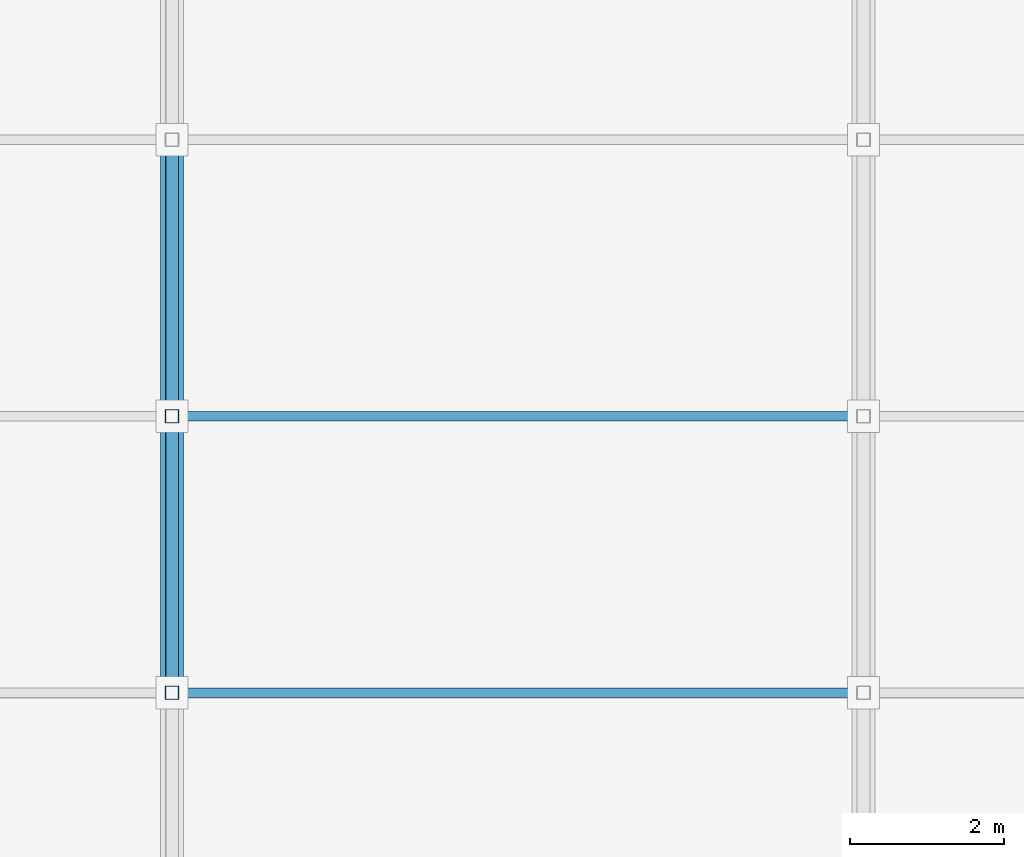
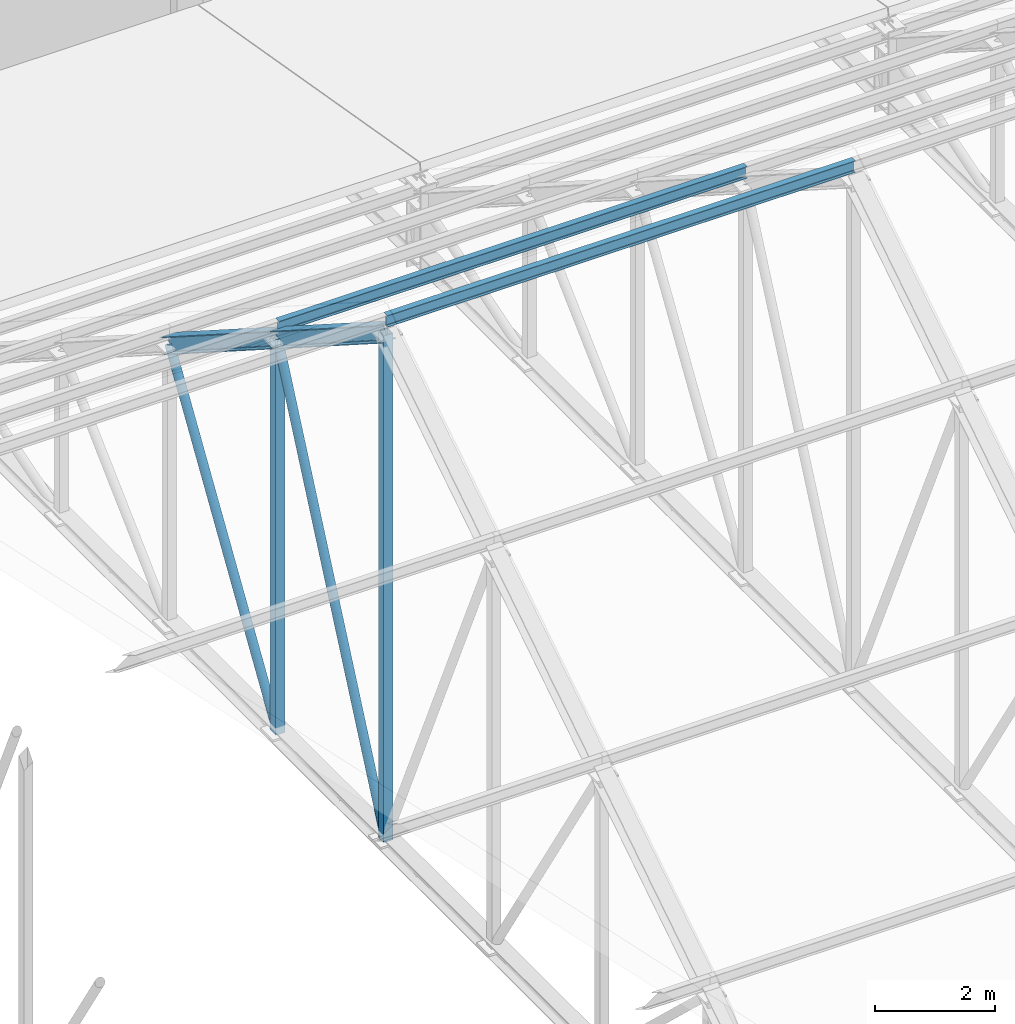
# One storey, part 106 of 182: 8 members.
"""IFC4 building model written with IfcOpenShell, lengths in metres."""

from ifc_helpers import new_model, si_unit, direction, frame, origin, origin_2d, place, context, subcontext, project, spatial, hollow_rectangle, hollow_circle, i_section, extrude, material, material_profile, profile_set, type_object, element, save


model = new_model("IFC4")

# Units and contexts
model_context = context("Model", 3, precision=1e-05, world=origin(), true_north=direction((0.0, 1.0)))
body_context = subcontext(model_context, "Body", "Model", "MODEL_VIEW")
ifc_project = project(units=[si_unit("LENGTHUNIT", "METRE"), si_unit("AREAUNIT", "SQUARE_METRE"), si_unit("VOLUMEUNIT", "CUBIC_METRE"), si_unit("PLANEANGLEUNIT", "RADIAN"), si_unit("MASSUNIT", "GRAM", prefix="KILO")], contexts=[model_context])

# Site, building, storey
site_placement = place(None, origin())
site = spatial("IfcSite", under=ifc_project, at=site_placement, CompositionType="ELEMENT")
building_placement = place(site_placement, origin())
building = spatial("IfcBuilding", under=site, at=building_placement, Name="Chiffa Square Polytechnic", CompositionType="ELEMENT")
storey_placement = place(building_placement, frame((0.0, 0.0, 9.60009765625)))
storey = spatial("IfcBuildingStorey", under=building, at=storey_placement, Name="L02", CompositionType="ELEMENT", Elevation=9.60009765625)

# Members
ifc_material = material(Name="Steel S355", Category="steel")
ifc_material_profile_1 = material_profile(ifc_material, i_section(OverallWidth=0.300048828125, OverallDepth=0.31005859375, WebThickness=0.009033203125, FlangeThickness=0.015380859375, FilletRadius=0.027099609375, at=origin_2d()), Name="HEA 320")
ifc_profile_set_1 = profile_set([ifc_material_profile_1], Name="Steel S355")
member_type_1 = type_object("IfcMemberType", Name="MEM-CHORD-HEA320", PredefinedType="CHORD", material=ifc_profile_set_1)
member_1_placement = place(storey_placement, frame((130.199951171875, 72.60009765625, 10.64990234375), z_axis=(0.0, 0.842681134223, -0.538412951205), x_axis=(-1.0, 0.0, 0.0)))
element("IfcMember", 1, at=member_1_placement, inside=storey, type_object=member_type_1, Name="Workshop roof truss top chord TCT-V2-03-05", PredefinedType="CHORD", context=body_context, shape_type="SweptSolid", body=[
    extrude(i_section(OverallWidth=0.300048828125, OverallDepth=0.31005859375, WebThickness=0.009033203125, FlangeThickness=0.015380859375, FilletRadius=0.027099609375, at=origin_2d()), origin(), (0.0, 0.0, 1.0), 4.27197265625),
])
member_2_placement = place(storey_placement, frame((130.199951171875, 76.199951171875, 8.349853515625), z_axis=(0.0, 0.84269770024, -0.538387022512), x_axis=(-1.0, 0.0, 0.0)))
element("IfcMember", 2, at=member_2_placement, inside=storey, type_object=member_type_1, Name="Workshop roof truss top chord TCT-V2-03-06", PredefinedType="CHORD", context=body_context, shape_type="SweptSolid", body=[
    extrude(i_section(OverallWidth=0.300048828125, OverallDepth=0.31005859375, WebThickness=0.009033203125, FlangeThickness=0.015380859375, FilletRadius=0.027099609375, at=origin_2d()), origin(), (0.0, 0.0, 1.0), 4.272216796875),
])
ifc_material_profile_2 = material_profile(ifc_material, i_section(OverallWidth=0.1201171875, OverallDepth=0.239990234375, WebThickness=0.006103515625, FlangeThickness=0.009765625, FilletRadius=0.014892578125, at=origin_2d()), Name="IPE 240")
ifc_profile_set_2 = profile_set([ifc_material_profile_2], Name="Steel S355")
member_type_2 = type_object("IfcMemberType", Name="MEM-PUR-IPE240", PredefinedType="PURLIN", material=ifc_profile_set_2)
for number, where, z_axis, x_axis, name in (
    (3, (130.199951171875, 72.60009765625, 10.89990234375), (1.0, 0.0, 0.0), (0.0, 1.0, 0.0), "Workshop steel roof purlin PU-V2-03-05"),
    (4, (130.199951171875, 76.199951171875, 8.599853515625), (1.0, 0.0, 0.0), (0.0, 1.0, 0.0), "Workshop steel roof purlin PU-V2-03-06"),
):
    element("IfcMember", number, at=place(storey_placement, frame(where, z_axis=z_axis, x_axis=x_axis)), inside=storey, type_object=member_type_2, Name=name, PredefinedType="PURLIN", context=body_context, shape_type="SweptSolid", body=[
        extrude(i_section(OverallWidth=0.1201171875, OverallDepth=0.239990234375, WebThickness=0.006103515625, FlangeThickness=0.009765625, FilletRadius=0.014892578125, at=origin_2d()), origin(), (0.0, 0.0, 1.0), 9.0),
    ])
ifc_material_profile_3 = material_profile(ifc_material, hollow_circle(Radius=0.084228515625, WallThickness=0.010009765625, at=origin_2d()), Name="CHS 168.3x10")
ifc_profile_set_3 = profile_set([ifc_material_profile_3], Name="Steel S355")
member_type_3 = type_object("IfcMemberType", Name="MEM-WEB-CHS168", PredefinedType="MEMBER", material=ifc_profile_set_3)
member_3_placement = place(storey_placement, frame((130.199951171875, 72.60009765625, 0.349853515625), z_axis=(0.0, 0.410350791297, 0.911927753762), x_axis=(-1.0, 0.0, 0.0)))
element("IfcMember", 5, at=member_3_placement, inside=storey, type_object=member_type_3, Name="Workshop roof truss diagonal TWD-V2-03-05", PredefinedType="MEMBER", context=body_context, shape_type="SweptSolid", body=[
    extrude(hollow_circle(Radius=0.084228515625, WallThickness=0.010009765625, at=origin_2d()), origin(), (0.0, 0.0, 1.0), 8.772705078125),
])
member_4_placement = place(storey_placement, frame((130.199951171875, 76.199951171875, 0.349853515625), z_axis=(0.0, 0.53400661626, 0.845480297695), x_axis=(-1.0, 0.0, 0.0)))
element("IfcMember", 6, at=member_4_placement, inside=storey, type_object=member_type_3, Name="Workshop roof truss diagonal TWD-V2-03-06", PredefinedType="MEMBER", context=body_context, shape_type="SweptSolid", body=[
    extrude(hollow_circle(Radius=0.084228515625, WallThickness=0.010009765625, at=origin_2d()), origin(), (0.0, 0.0, 1.0), 6.74169921875),
])
ifc_material_profile_4 = material_profile(ifc_material, hollow_rectangle(XDim=0.179931640625, YDim=0.179931640625, WallThickness=0.010009765625, at=origin_2d()), Name="RHS 180x180x10")
ifc_profile_set_4 = profile_set([ifc_material_profile_4], Name="Steel S355")
member_type_4 = type_object("IfcMemberType", Name="MEM-WEB-RHS180", PredefinedType="MEMBER", material=ifc_profile_set_4)
member_5_placement = place(storey_placement, frame((130.199951171875, 72.60009765625, 0.349853515625), z_axis=(0.0, 0.0, 1.0), x_axis=(1.0, 0.0, 0.0)))
element("IfcMember", 7, at=member_5_placement, inside=storey, type_object=member_type_4, Name="Workshop roof truss vertical TWV-V2-03-05", PredefinedType="MEMBER", context=body_context, shape_type="SweptSolid", body=[
    extrude(hollow_rectangle(XDim=0.179931640625, YDim=0.179931640625, WallThickness=0.010009765625, at=origin_2d()), origin(), (0.0, 0.0, 1.0), 10.300048828125),
])
member_6_placement = place(storey_placement, frame((130.199951171875, 76.199951171875, 0.349853515625), z_axis=(0.0, 0.0, 1.0), x_axis=(1.0, 0.0, 0.0)))
element("IfcMember", 8, at=member_6_placement, inside=storey, type_object=member_type_4, Name="Workshop roof truss vertical TWV-V2-03-06", PredefinedType="MEMBER", context=body_context, shape_type="SweptSolid", body=[
    extrude(hollow_rectangle(XDim=0.179931640625, YDim=0.179931640625, WallThickness=0.010009765625, at=origin_2d()), origin(), (0.0, 0.0, 1.0), 8.0),
])

save(model, "model.ifc")
